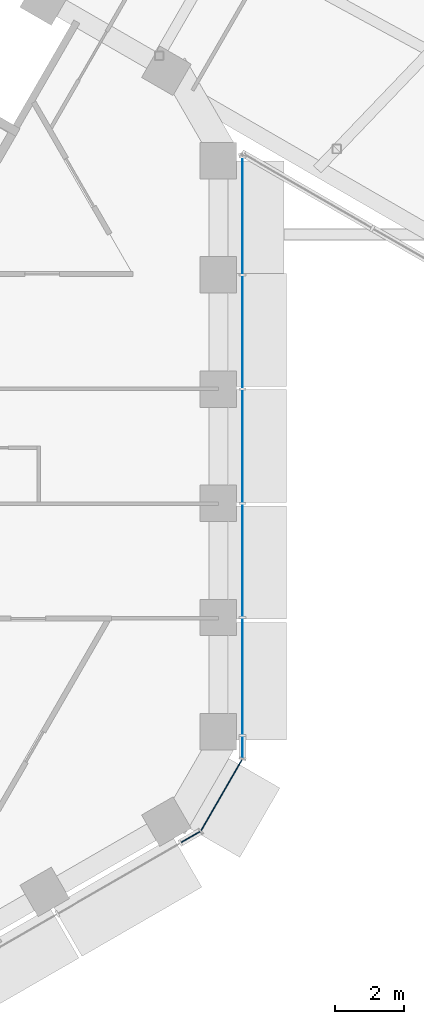
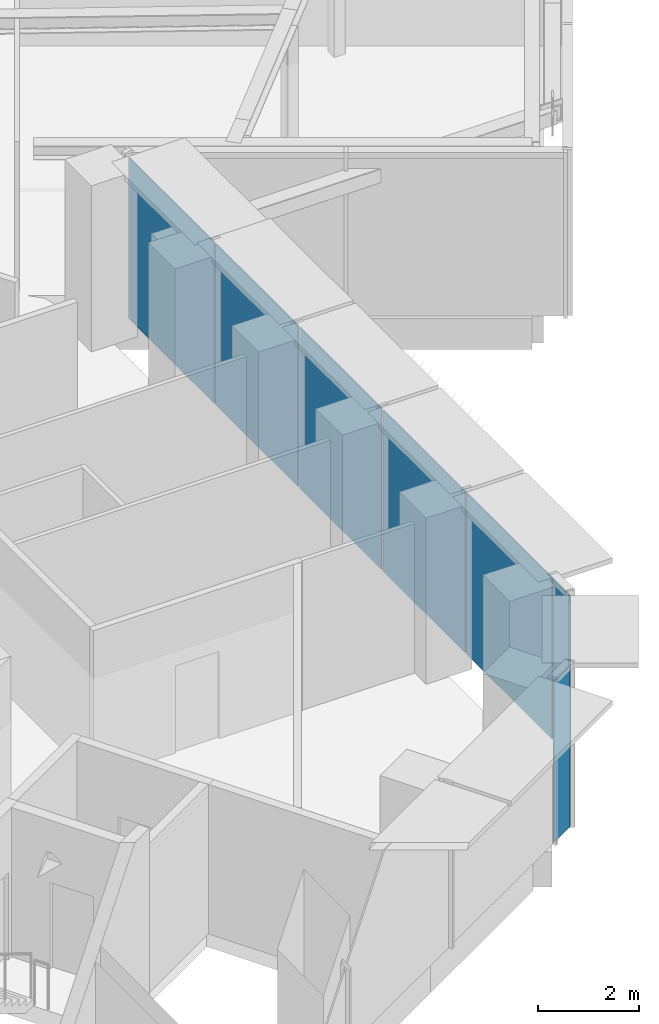
# One storey, part 14 of 28: 8 plates, 2 elements without a shape of their own.
"""IFC4 building model written with IfcOpenShell, lengths in metres."""

import ifcopenshell
import ifcopenshell.guid

model = None  # the IFC model being written
_history = None  # IfcOwnerHistory: only IFC2X3 demands one
_inside = {}  # id of a spatial element -> (the spatial element, [elements in it])
_under = {}  # id of a project, library or spatial element -> (it, [spatial elements below it])
_declared = {}  # id of a project -> (the project, [libraries it declares])
_typed = {}  # id of a type object -> (the type object, [elements of that type])
_made_of = {}  # id of a material, layer set ... -> (it, [elements and type objects made of it])


def new_model(schema):
    """Start an empty IFC model of exactly this schema.

    Asked for "IFC4X3", IfcOpenShell would pick the latest addendum, in which some entities
    have other attributes; the version numbers below select the first issue.
    IFC2X3 requires an IfcOwnerHistory on every rooted entity: one is made here for all.
    """
    global model, _history
    if schema == "IFC4X3":
        model = ifcopenshell.file(schema_version=(4, 3, 0, 0))
    else:
        model = ifcopenshell.file(schema=schema)
    _inside.clear()
    _under.clear()
    _declared.clear()
    _typed.clear()
    _made_of.clear()
    _history = None
    if model.schema == "IFC2X3":
        org = make("IfcOrganization", Name="unknown")
        user = make(
            "IfcPersonAndOrganization",
            ThePerson=make("IfcPerson", FamilyName="unknown"),
            TheOrganization=org,
        )
        app = make(
            "IfcApplication",
            ApplicationDeveloper=org,
            Version="unknown",
            ApplicationFullName="unknown",
            ApplicationIdentifier="unknown",
        )
        _history = make(
            "IfcOwnerHistory",
            OwningUser=user,
            OwningApplication=app,
            ChangeAction="ADDED",
            CreationDate=0,
        )
    return model


def make(cls, **values):
    """One entity of the class cls with the attributes given. An attribute that is None is left unset."""
    return model.create_entity(
        cls, **{name: value for name, value in values.items() if value is not None}
    )


def rooted(cls, **values):
    """An entity with a GlobalId (a new one), such as an element, a storey or a relation."""
    return make(cls, GlobalId=ifcopenshell.guid.new(), OwnerHistory=_history, **values)


def si_unit(unit_type, name, prefix=None):
    """IfcSIUnit, for example si_unit("LENGTHUNIT", "METRE", prefix="MILLI")."""
    return make("IfcSIUnit", UnitType=unit_type, Prefix=prefix, Name=name)


def assignment(units):
    """IfcUnitAssignment: the units of a project."""
    return None if units is None else make("IfcUnitAssignment", Units=units)


def point(xyz):
    """IfcCartesianPoint."""
    return None if xyz is None else make("IfcCartesianPoint", Coordinates=xyz)


def direction(xyz):
    """IfcDirection."""
    return None if xyz is None else make("IfcDirection", DirectionRatios=xyz)


def frame(location, z_axis=None, x_axis=None):
    """IfcAxis2Placement3D, a coordinate frame: its origin and axes. An axis left out is left unset."""
    return make(
        "IfcAxis2Placement3D",
        Location=point(location),
        Axis=direction(z_axis),
        RefDirection=direction(x_axis),
    )


def frame_2d(location, x_axis=None):
    """IfcAxis2Placement2D, a coordinate frame in the plane: its origin and x axis."""
    return make(
        "IfcAxis2Placement2D", Location=point(location), RefDirection=direction(x_axis)
    )


def origin():
    """The frame at (0, 0, 0) with its axes left unset."""
    return frame((0.0, 0.0, 0.0))


def origin_2d():
    """The frame at (0, 0) in the plane with its x axis left unset."""
    return frame_2d((0.0, 0.0))


def place(relative_to, where):
    """IfcLocalPlacement: puts the frame where relative to a parent placement (None: the world)."""
    return make(
        "IfcLocalPlacement", PlacementRelTo=relative_to, RelativePlacement=where
    )


def context(
    kind, dimensions, precision=None, world=None, true_north=None, identifier=None
):
    """IfcGeometricRepresentationContext, for example the 3D "Model" context."""
    return make(
        "IfcGeometricRepresentationContext",
        ContextIdentifier=identifier,
        ContextType=kind,
        CoordinateSpaceDimension=dimensions,
        Precision=precision,
        WorldCoordinateSystem=world,
        TrueNorth=true_north,
    )


def subcontext(parent, identifier, kind, view, scale=None):
    """IfcGeometricRepresentationSubContext, for example "Body" below "Model"."""
    return make(
        "IfcGeometricRepresentationSubContext",
        ContextIdentifier=identifier,
        ContextType=kind,
        ParentContext=parent,
        TargetScale=scale,
        TargetView=view,
    )


def project(units=None, contexts=None):
    """IfcProject with its units and contexts."""
    return rooted(
        "IfcProject",
        Name="project",
        RepresentationContexts=contexts,
        UnitsInContext=assignment(units),
    )


def spatial(cls, under=None, at=None, **own):
    """A site, building, storey or space (cls), placed at a placement, below another one or the project."""
    s = rooted(cls, ObjectPlacement=at, **own)
    if under is not None:
        _under.setdefault(under.id(), (under, []))[1].append(s)
    return s


def profile(cls, at=None, kind="AREA", **sizes):
    """A parametric profile (cls). Its sizes go by their IFC names, for example OverallWidth=200.0."""
    return make(cls, ProfileType=kind, Position=at, **sizes)


def rectangle(**sizes):
    """IfcRectangleProfileDef."""
    return profile("IfcRectangleProfileDef", **sizes)


def extrude(swept, where, along, depth):
    """IfcExtrudedAreaSolid: the profile swept, set in the frame where, extruded along a direction by depth."""
    return make(
        "IfcExtrudedAreaSolid",
        SweptArea=swept,
        Position=where,
        ExtrudedDirection=direction(along),
        Depth=depth,
    )


def shape(context_of_items, identifier, shape_type, items):
    """IfcShapeRepresentation: the items that make up one representation, for example the "Body"."""
    return make(
        "IfcShapeRepresentation",
        ContextOfItems=context_of_items,
        RepresentationIdentifier=identifier,
        RepresentationType=shape_type,
        Items=items,
    )


def material(Name=None, Category=None):
    """IfcMaterial."""
    return make("IfcMaterial", Name=Name, Category=Category)


def layer(
    of_material, thickness, ventilated=None, Name=None, Category=None, Priority=None
):
    """IfcMaterialLayer: one layer of a wall or slab, of a material (None: an air gap)."""
    return make(
        "IfcMaterialLayer",
        Material=of_material,
        LayerThickness=thickness,
        IsVentilated=ventilated,
        Name=Name,
        Category=Category,
        Priority=Priority,
    )


def layer_set(layers, Name=None):
    """IfcMaterialLayerSet."""
    return make("IfcMaterialLayerSet", MaterialLayers=layers, LayerSetName=Name)


def made_of(thing, what):
    """Note that an element or type object is made of a material, layer set ...; save() writes the relation."""
    if what is not None:
        _made_of.setdefault(what.id(), (what, []))[1].append(thing)
    return thing


def type_object(cls, material=None, **own):
    """A type object (cls), such as IfcWallType, which elements share."""
    return made_of(rooted(cls, **own), material)


def element(
    cls,
    number,
    at=None,
    inside=None,
    cuts=None,
    type_object=None,
    material=None,
    context=None,
    identifier="Body",
    shape_type=None,
    held_by="IfcProductDefinitionShape",
    body=None,
    shapes=None,
    **own,
):
    """One element of the class cls, such as IfcWall. Its Tag is "e" and its number.

    at: its placement. inside: the storey or other place that contains it. cuts: it is an
    opening in that element (IfcRelVoidsElement). A single representation is given by context,
    identifier, shape_type and body (its items); several are given by shapes. held_by: the class
    of the entity that holds the representations. save() writes the other relations.
    """
    e = rooted(cls, Tag="e%d" % number, ObjectPlacement=at, **own)
    if body is not None:
        shapes = [shape(context, identifier, shape_type, body)]
    if shapes is not None:
        e.Representation = make(held_by, Representations=shapes)
    if inside is not None:
        _inside.setdefault(inside.id(), (inside, []))[1].append(e)
    if cuts is not None:
        rooted(
            "IfcRelVoidsElement", RelatingBuildingElement=cuts, RelatedOpeningElement=e
        )
    if type_object is not None:
        _typed.setdefault(type_object.id(), (type_object, []))[1].append(e)
    return made_of(e, material)


def aggregate(whole, parts):
    """IfcRelAggregates: a whole, such as a stair, and the parts it consists of."""
    return rooted("IfcRelAggregates", RelatingObject=whole, RelatedObjects=parts)


def save(model, path):
    """Write the relations noted so far, then the file.

    IfcRelAggregates (storeys below a building ...), IfcRelContainedInSpatialStructure (elements
    in a storey), IfcRelDefinesByType, IfcRelAssociatesMaterial and IfcRelDeclares: one each for
    every whole, place, type object, material and project.
    """
    for whole, parts in _under.values():
        aggregate(whole, parts)
    for where, things in _inside.values():
        rooted(
            "IfcRelContainedInSpatialStructure",
            RelatedElements=things,
            RelatingStructure=where,
        )
    for kind, things in _typed.values():
        rooted("IfcRelDefinesByType", RelatedObjects=things, RelatingType=kind)
    for what, things in _made_of.values():
        rooted("IfcRelAssociatesMaterial", RelatedObjects=things, RelatingMaterial=what)
    for by, libraries in _declared.values():
        rooted("IfcRelDeclares", RelatingContext=by, RelatedDefinitions=libraries)
    model.write(path)


model = new_model("IFC4")

# Units and contexts
model_context = context("Model", 3, precision=1e-05, world=origin(), true_north=direction((0.0, 1.0)))
body_context = subcontext(model_context, "Body", "Model", "MODEL_VIEW")
ifc_project = project(units=[si_unit("LENGTHUNIT", "METRE"), si_unit("AREAUNIT", "SQUARE_METRE"), si_unit("VOLUMEUNIT", "CUBIC_METRE"), si_unit("PLANEANGLEUNIT", "RADIAN"), si_unit("MASSUNIT", "GRAM", prefix="KILO")], contexts=[model_context])

# Site, building, storey
site_placement = place(None, origin())
site = spatial("IfcSite", under=ifc_project, at=site_placement, CompositionType="ELEMENT")
building_placement = place(site_placement, origin())
building = spatial("IfcBuilding", under=site, at=building_placement, Name="Ayvan Gate Tower", CompositionType="ELEMENT")
storey_placement = place(building_placement, frame((0.0, 0.0, 143.89990234375)))
storey = spatial("IfcBuildingStorey", under=building, at=storey_placement, Name="L38", CompositionType="ELEMENT", Elevation=143.89990234375)

# Curtain wall, plates
ifc_material_1 = material(Name="Bronze anodised aluminium", Category="aluminium")
ifc_layer_1 = layer(ifc_material_1, 0.199951171875)
ifc_layer_set_1 = layer_set([ifc_layer_1], Name="Bronze anodised aluminium")
curtain_wall_type_1 = type_object("IfcCurtainWallType", Name="Stick curtain wall CW-1", PredefinedType="NOTDEFINED", material=ifc_layer_set_1)
curtain_wall_1_placement = place(storey_placement, origin())
curtain_wall_1 = element("IfcCurtainWall", 1, at=curtain_wall_1_placement, inside=storey, type_object=curtain_wall_type_1, Name="Stick curtain wall CW-1 L38", PredefinedType="NOTDEFINED")
ifc_material_2 = material(Name="Clear low-iron laminated glass", Category="glass")
ifc_layer_2 = layer(ifc_material_2, 0.028076171875)
ifc_layer_set_2 = layer_set([ifc_layer_2], Name="Clear low-iron laminated glass")
plate_type_1 = type_object("IfcPlateType", Name="Stick curtain wall CW-1 glass panel", PredefinedType="CURTAIN_PANEL", material=ifc_layer_set_2)
plate_1_placement = place(storey_placement, frame((20.185546875, -6.668212890625, 0.000244140625), z_axis=(0.0, 0.0, 1.0), x_axis=(0.0, 1.0, 0.0)))
plate_1 = element("IfcPlate", 2, at=plate_1_placement, type_object=plate_type_1, Name="CW-1 glass panel 1", PredefinedType="CURTAIN_PANEL", context=body_context, shape_type="SweptSolid", body=[
    extrude(rectangle(XDim=3.373046875, YDim=0.028076171875, at=origin_2d()), origin(), (0.0, 0.0, 1.0), 3.8798828125),
])
plate_2_placement = place(storey_placement, frame((20.185546875, -3.30126953125, 0.000244140625), z_axis=(0.0, 0.0, 1.0), x_axis=(0.0, 1.0, 0.0)))
plate_2 = element("IfcPlate", 3, at=plate_2_placement, type_object=plate_type_1, Name="CW-1 glass panel 2", PredefinedType="CURTAIN_PANEL", context=body_context, shape_type="SweptSolid", body=[
    extrude(rectangle(XDim=3.240966796875, YDim=0.028076171875, at=origin_2d()), origin(), (0.0, 0.0, 1.0), 3.8798828125),
])
plate_3_placement = place(storey_placement, frame((20.185546875, -0.000244140625, 0.000244140625), z_axis=(0.0, 0.0, 1.0), x_axis=(0.0, 1.0, 0.0)))
plate_3 = element("IfcPlate", 4, at=plate_3_placement, type_object=plate_type_1, Name="CW-1 glass panel 3", PredefinedType="CURTAIN_PANEL", context=body_context, shape_type="SweptSolid", body=[
    extrude(rectangle(XDim=3.240966796875, YDim=0.028076171875, at=origin_2d()), origin(), (0.0, 0.0, 1.0), 3.8798828125),
])
plate_4_placement = place(storey_placement, frame((20.185546875, 3.30078125, 0.000244140625), z_axis=(0.0, 0.0, 1.0), x_axis=(0.0, 1.0, 0.0)))
plate_4 = element("IfcPlate", 5, at=plate_4_placement, type_object=plate_type_1, Name="CW-1 glass panel 4", PredefinedType="CURTAIN_PANEL", context=body_context, shape_type="SweptSolid", body=[
    extrude(rectangle(XDim=3.240966796875, YDim=0.028076171875, at=origin_2d()), origin(), (0.0, 0.0, 1.0), 3.8798828125),
])
plate_5_placement = place(storey_placement, frame((20.185546875, 6.66796875, 0.000244140625), z_axis=(0.0, 0.0, 1.0), x_axis=(0.0, 1.0, 0.0)))
plate_5 = element("IfcPlate", 6, at=plate_5_placement, type_object=plate_type_1, Name="CW-1 glass panel 5", PredefinedType="CURTAIN_PANEL", context=body_context, shape_type="SweptSolid", body=[
    extrude(rectangle(XDim=3.373291015625, YDim=0.028076171875, at=origin_2d()), origin(), (0.0, 0.0, 1.0), 3.8798828125),
])
aggregate(curtain_wall_1, [plate_1, plate_2, plate_3, plate_4, plate_5])

ifc_layer_3 = layer(ifc_material_1, 0.199951171875)
ifc_layer_set_3 = layer_set([ifc_layer_3], Name="Bronze anodised aluminium")
curtain_wall_type_2 = type_object("IfcCurtainWallType", Name="Stick curtain wall CW-6", PredefinedType="NOTDEFINED", material=ifc_layer_set_3)
curtain_wall_2_placement = place(storey_placement, origin())
curtain_wall_2 = element("IfcCurtainWall", 7, at=curtain_wall_2_placement, inside=storey, type_object=curtain_wall_type_2, Name="Stick curtain wall CW-6 L38", PredefinedType="NOTDEFINED")
ifc_layer_4 = layer(ifc_material_2, 0.028076171875)
ifc_layer_set_4 = layer_set([ifc_layer_4], Name="Clear low-iron laminated glass")
plate_type_2 = type_object("IfcPlateType", Name="Stick curtain wall CW-6 glass panel", PredefinedType="CURTAIN_PANEL", material=ifc_layer_set_4)
plate_6_placement = place(storey_placement, frame((18.68603515625, -11.29443359375, 0.000244140625), z_axis=(0.0, 0.0, 1.0), x_axis=(0.866025403784, 0.5, 0.0)))
plate_6 = element("IfcPlate", 8, at=plate_6_placement, type_object=plate_type_2, Name="CW-6 glass panel 1", PredefinedType="CURTAIN_PANEL", context=body_context, shape_type="SweptSolid", body=[
    extrude(rectangle(XDim=0.625, YDim=0.028076171875, at=origin_2d()), origin(), (0.0, 0.0, 1.0), 3.8798828125),
])
plate_7_placement = place(storey_placement, frame((19.58203125, -10.080078125, 0.000244140625), z_axis=(0.0, 0.0, 1.0), x_axis=(0.5, 0.866025403784, 0.0)))
plate_7 = element("IfcPlate", 9, at=plate_7_placement, type_object=plate_type_2, Name="CW-6 glass panel 2", PredefinedType="CURTAIN_PANEL", context=body_context, shape_type="SweptSolid", body=[
    extrude(rectangle(XDim=2.364501953125, YDim=0.028076171875, at=origin_2d()), origin(), (0.0, 0.0, 1.0), 3.8798828125),
])
plate_8_placement = place(storey_placement, frame((20.185546875, -8.697265625, 0.000244140625), z_axis=(0.0, 0.0, 1.0), x_axis=(0.0, 1.0, 0.0)))
plate_8 = element("IfcPlate", 10, at=plate_8_placement, type_object=plate_type_2, Name="CW-6 glass panel 3", PredefinedType="CURTAIN_PANEL", context=body_context, shape_type="SweptSolid", body=[
    extrude(rectangle(XDim=0.625, YDim=0.028076171875, at=origin_2d()), origin(), (0.0, 0.0, 1.0), 3.8798828125),
])
aggregate(curtain_wall_2, [plate_6, plate_7, plate_8])

save(model, "model.ifc")
